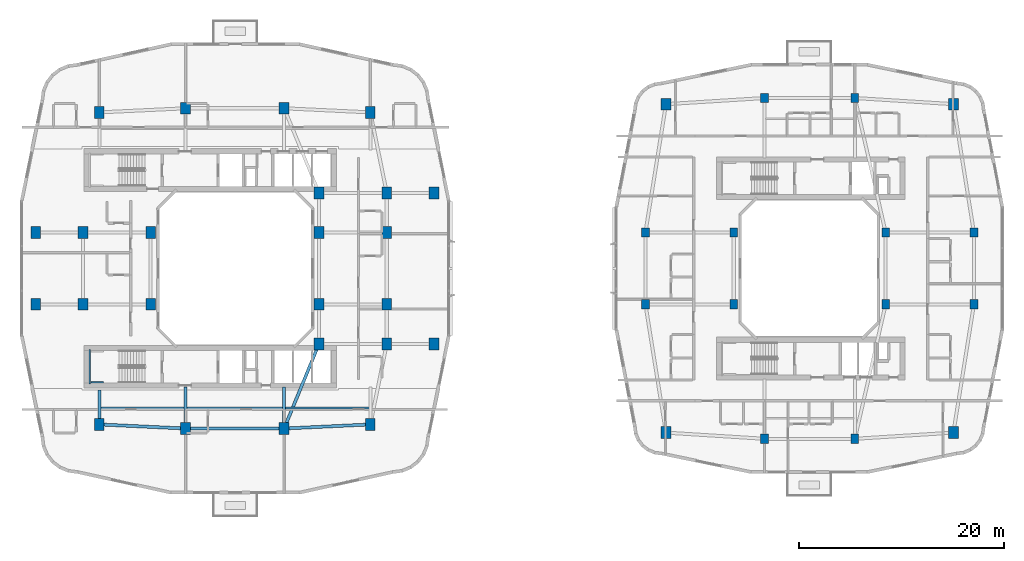
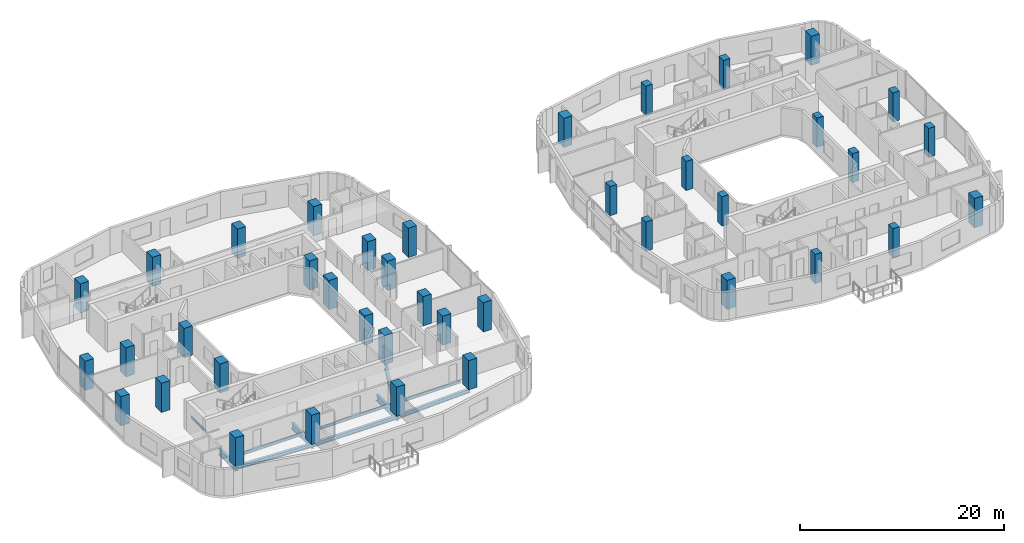
# One storey, part 1 of 22: 40 columns, 12 beams.
"""IFC4 building model written with IfcOpenShell, lengths in metres."""

import ifcopenshell
import ifcopenshell.guid

model = None  # the IFC model being written
_history = None  # IfcOwnerHistory: only IFC2X3 demands one
_inside = {}  # id of a spatial element -> (the spatial element, [elements in it])
_under = {}  # id of a project, library or spatial element -> (it, [spatial elements below it])
_declared = {}  # id of a project -> (the project, [libraries it declares])
_typed = {}  # id of a type object -> (the type object, [elements of that type])
_made_of = {}  # id of a material, layer set ... -> (it, [elements and type objects made of it])


def new_model(schema):
    """Start an empty IFC model of exactly this schema.

    Asked for "IFC4X3", IfcOpenShell would pick the latest addendum, in which some entities
    have other attributes; the version numbers below select the first issue.
    IFC2X3 requires an IfcOwnerHistory on every rooted entity: one is made here for all.
    """
    global model, _history
    if schema == "IFC4X3":
        model = ifcopenshell.file(schema_version=(4, 3, 0, 0))
    else:
        model = ifcopenshell.file(schema=schema)
    _inside.clear()
    _under.clear()
    _declared.clear()
    _typed.clear()
    _made_of.clear()
    _history = None
    if model.schema == "IFC2X3":
        org = make("IfcOrganization", Name="unknown")
        user = make(
            "IfcPersonAndOrganization",
            ThePerson=make("IfcPerson", FamilyName="unknown"),
            TheOrganization=org,
        )
        app = make(
            "IfcApplication",
            ApplicationDeveloper=org,
            Version="unknown",
            ApplicationFullName="unknown",
            ApplicationIdentifier="unknown",
        )
        _history = make(
            "IfcOwnerHistory",
            OwningUser=user,
            OwningApplication=app,
            ChangeAction="ADDED",
            CreationDate=0,
        )
    return model


def make(cls, **values):
    """One entity of the class cls with the attributes given. An attribute that is None is left unset."""
    return model.create_entity(
        cls, **{name: value for name, value in values.items() if value is not None}
    )


def rooted(cls, **values):
    """An entity with a GlobalId (a new one), such as an element, a storey or a relation."""
    return make(cls, GlobalId=ifcopenshell.guid.new(), OwnerHistory=_history, **values)


def si_unit(unit_type, name, prefix=None):
    """IfcSIUnit, for example si_unit("LENGTHUNIT", "METRE", prefix="MILLI")."""
    return make("IfcSIUnit", UnitType=unit_type, Prefix=prefix, Name=name)


def derived_unit(unit_type, elements):
    """IfcDerivedUnit: a product of units, each with its exponent."""
    return make(
        "IfcDerivedUnit",
        Elements=[
            make("IfcDerivedUnitElement", Unit=unit, Exponent=power)
            for unit, power in elements
        ],
        UnitType=unit_type,
    )


def assignment(units):
    """IfcUnitAssignment: the units of a project."""
    return None if units is None else make("IfcUnitAssignment", Units=units)


def point(xyz):
    """IfcCartesianPoint."""
    return None if xyz is None else make("IfcCartesianPoint", Coordinates=xyz)


def direction(xyz):
    """IfcDirection."""
    return None if xyz is None else make("IfcDirection", DirectionRatios=xyz)


def frame(location, z_axis=None, x_axis=None):
    """IfcAxis2Placement3D, a coordinate frame: its origin and axes. An axis left out is left unset."""
    return make(
        "IfcAxis2Placement3D",
        Location=point(location),
        Axis=direction(z_axis),
        RefDirection=direction(x_axis),
    )


def frame_2d(location, x_axis=None):
    """IfcAxis2Placement2D, a coordinate frame in the plane: its origin and x axis."""
    return make(
        "IfcAxis2Placement2D", Location=point(location), RefDirection=direction(x_axis)
    )


def origin():
    """The frame at (0, 0, 0) with its axes left unset."""
    return frame((0.0, 0.0, 0.0))


def origin_2d():
    """The frame at (0, 0) in the plane with its x axis left unset."""
    return frame_2d((0.0, 0.0))


def place(relative_to, where):
    """IfcLocalPlacement: puts the frame where relative to a parent placement (None: the world)."""
    return make(
        "IfcLocalPlacement", PlacementRelTo=relative_to, RelativePlacement=where
    )


def context(
    kind, dimensions, precision=None, world=None, true_north=None, identifier=None
):
    """IfcGeometricRepresentationContext, for example the 3D "Model" context."""
    return make(
        "IfcGeometricRepresentationContext",
        ContextIdentifier=identifier,
        ContextType=kind,
        CoordinateSpaceDimension=dimensions,
        Precision=precision,
        WorldCoordinateSystem=world,
        TrueNorth=true_north,
    )


def subcontext(parent, identifier, kind, view, scale=None):
    """IfcGeometricRepresentationSubContext, for example "Body" below "Model"."""
    return make(
        "IfcGeometricRepresentationSubContext",
        ContextIdentifier=identifier,
        ContextType=kind,
        ParentContext=parent,
        TargetScale=scale,
        TargetView=view,
    )


def project(units=None, contexts=None):
    """IfcProject with its units and contexts."""
    return rooted(
        "IfcProject",
        Name="project",
        RepresentationContexts=contexts,
        UnitsInContext=assignment(units),
    )


def spatial(cls, under=None, at=None, **own):
    """A site, building, storey or space (cls), placed at a placement, below another one or the project."""
    s = rooted(cls, ObjectPlacement=at, **own)
    if under is not None:
        _under.setdefault(under.id(), (under, []))[1].append(s)
    return s


def profile(cls, at=None, kind="AREA", **sizes):
    """A parametric profile (cls). Its sizes go by their IFC names, for example OverallWidth=200.0."""
    return make(cls, ProfileType=kind, Position=at, **sizes)


def rectangle(**sizes):
    """IfcRectangleProfileDef."""
    return profile("IfcRectangleProfileDef", **sizes)


def i_section(**sizes):
    """IfcIShapeProfileDef."""
    return profile("IfcIShapeProfileDef", **sizes)


def extrude(swept, where, along, depth):
    """IfcExtrudedAreaSolid: the profile swept, set in the frame where, extruded along a direction by depth."""
    return make(
        "IfcExtrudedAreaSolid",
        SweptArea=swept,
        Position=where,
        ExtrudedDirection=direction(along),
        Depth=depth,
    )


def shape(context_of_items, identifier, shape_type, items):
    """IfcShapeRepresentation: the items that make up one representation, for example the "Body"."""
    return make(
        "IfcShapeRepresentation",
        ContextOfItems=context_of_items,
        RepresentationIdentifier=identifier,
        RepresentationType=shape_type,
        Items=items,
    )


def material(Name=None, Category=None):
    """IfcMaterial."""
    return make("IfcMaterial", Name=Name, Category=Category)


def material_profile(
    of_material, cross_section, Name=None, Category=None, Priority=None
):
    """IfcMaterialProfile: a cross section and its material."""
    return make(
        "IfcMaterialProfile",
        Name=Name,
        Material=of_material,
        Profile=cross_section,
        Priority=Priority,
        Category=Category,
    )


def profile_set(profiles, Name=None, composite=None):
    """IfcMaterialProfileSet."""
    return make(
        "IfcMaterialProfileSet",
        Name=Name,
        MaterialProfiles=profiles,
        CompositeProfile=composite,
    )


def made_of(thing, what):
    """Note that an element or type object is made of a material, layer set ...; save() writes the relation."""
    if what is not None:
        _made_of.setdefault(what.id(), (what, []))[1].append(thing)
    return thing


def type_object(cls, material=None, **own):
    """A type object (cls), such as IfcWallType, which elements share."""
    return made_of(rooted(cls, **own), material)


def element(
    cls,
    number,
    at=None,
    inside=None,
    cuts=None,
    type_object=None,
    material=None,
    context=None,
    identifier="Body",
    shape_type=None,
    held_by="IfcProductDefinitionShape",
    body=None,
    shapes=None,
    **own,
):
    """One element of the class cls, such as IfcWall. Its Tag is "e" and its number.

    at: its placement. inside: the storey or other place that contains it. cuts: it is an
    opening in that element (IfcRelVoidsElement). A single representation is given by context,
    identifier, shape_type and body (its items); several are given by shapes. held_by: the class
    of the entity that holds the representations. save() writes the other relations.
    """
    e = rooted(cls, Tag="e%d" % number, ObjectPlacement=at, **own)
    if body is not None:
        shapes = [shape(context, identifier, shape_type, body)]
    if shapes is not None:
        e.Representation = make(held_by, Representations=shapes)
    if inside is not None:
        _inside.setdefault(inside.id(), (inside, []))[1].append(e)
    if cuts is not None:
        rooted(
            "IfcRelVoidsElement", RelatingBuildingElement=cuts, RelatedOpeningElement=e
        )
    if type_object is not None:
        _typed.setdefault(type_object.id(), (type_object, []))[1].append(e)
    return made_of(e, material)


def aggregate(whole, parts):
    """IfcRelAggregates: a whole, such as a stair, and the parts it consists of."""
    return rooted("IfcRelAggregates", RelatingObject=whole, RelatedObjects=parts)


def save(model, path):
    """Write the relations noted so far, then the file.

    IfcRelAggregates (storeys below a building ...), IfcRelContainedInSpatialStructure (elements
    in a storey), IfcRelDefinesByType, IfcRelAssociatesMaterial and IfcRelDeclares: one each for
    every whole, place, type object, material and project.
    """
    for whole, parts in _under.values():
        aggregate(whole, parts)
    for where, things in _inside.values():
        rooted(
            "IfcRelContainedInSpatialStructure",
            RelatedElements=things,
            RelatingStructure=where,
        )
    for kind, things in _typed.values():
        rooted("IfcRelDefinesByType", RelatedObjects=things, RelatingType=kind)
    for what, things in _made_of.values():
        rooted("IfcRelAssociatesMaterial", RelatedObjects=things, RelatingMaterial=what)
    for by, libraries in _declared.values():
        rooted("IfcRelDeclares", RelatingContext=by, RelatedDefinitions=libraries)
    model.write(path)


model = new_model("IFC4")

# Units and contexts
model_context = context("Model", 3, precision=1e-05, world=origin(), true_north=direction((0.0, 1.0)))
body_context = subcontext(model_context, "Body", "Model", "MODEL_VIEW")
ifc_project = project(units=[si_unit("LENGTHUNIT", "METRE"), si_unit("AREAUNIT", "SQUARE_METRE"), si_unit("VOLUMEUNIT", "CUBIC_METRE"), si_unit("PLANEANGLEUNIT", "RADIAN"), si_unit("MASSUNIT", "GRAM", prefix="KILO"), derived_unit("THERMALTRANSMITTANCEUNIT", [(si_unit("POWERUNIT", "WATT"), 1), (si_unit("LENGTHUNIT", "METRE"), -2), (si_unit("THERMODYNAMICTEMPERATUREUNIT", "KELVIN"), -1)])], contexts=[model_context])

# Site, building, storey
site_placement = place(None, origin())
site = spatial("IfcSite", under=ifc_project, at=site_placement, CompositionType="ELEMENT")
building_placement = place(site_placement, origin())
building = spatial("IfcBuilding", under=site, at=building_placement, Name="Kivonza Crest Hotel", CompositionType="ELEMENT")
storey_placement = place(building_placement, frame((0.0, 0.0, 69.5)))
storey = spatial("IfcBuildingStorey", under=building, at=storey_placement, Name="L18", CompositionType="ELEMENT", Elevation=69.5)

# Columns
ifc_material_1 = material(Name="Concrete C60/75", Category="concrete")
ifc_material_profile_1 = material_profile(ifc_material_1, rectangle(XDim=0.949951171875, YDim=1.14990234375, at=origin_2d()), Name="RC 1150x950")
ifc_profile_set_1 = profile_set([ifc_material_profile_1], Name="Concrete C60/75")
column_type_1 = type_object("IfcColumnType", Name="CL-RC-1150x950", PredefinedType="COLUMN", material=ifc_profile_set_1)
for number, where, z_axis, x_axis, name in (
    (1, (16.199951171875, 9.39990234375, 0.0), (0.0, 0.0, 1.0), (1.0, 0.0, 0.0), "Tower T1 L18 column S1"),
    (2, (25.800048828125, 9.39990234375, 0.0), (0.0, 0.0, 1.0), (1.0, 0.0, 0.0), "Tower T1 L18 column S2"),
    (3, (16.199951171875, 40.60009765625, 0.0), (0.0, 0.0, 1.0), (1.0, 0.0, 0.0), "Tower T1 L18 column N1"),
    (4, (25.800048828125, 40.60009765625, 0.0), (0.0, 0.0, 1.0), (1.0, 0.0, 0.0), "Tower T1 L18 column N2"),
    (5, (6.199951171875, 21.5, 0.0), (0.0, 0.0, 1.0), (1.0, 0.0, 0.0), "Tower T1 L18 column W1"),
    (6, (6.199951171875, 28.5, 0.0), (0.0, 0.0, 1.0), (1.0, 0.0, 0.0), "Tower T1 L18 column W2"),
    (7, (7.800048828125, 9.800048828125, 0.0), (0.0, 0.0, 1.0), (1.0, 0.0, 0.0), "Tower T1 L18 column SW"),
    (8, (34.199951171875, 9.800048828125, 0.0), (0.0, 0.0, 1.0), (1.0, 0.0, 0.0), "Tower T1 L18 column SE"),
    (9, (34.199951171875, 40.199951171875, 0.0), (0.0, 0.0, 1.0), (1.0, 0.0, 0.0), "Tower T1 L18 column NE"),
    (10, (7.800048828125, 40.199951171875, 0.0), (0.0, 0.0, 1.0), (1.0, 0.0, 0.0), "Tower T1 L18 column NW"),
    (11, (35.800048828125, 21.5, 0.0), (0.0, 0.0, 1.0), (1.0, 0.0, 0.0), "Tower T1 L18 column E1"),
    (12, (35.800048828125, 28.5, 0.0), (0.0, 0.0, 1.0), (1.0, 0.0, 0.0), "Tower T1 L18 column E2"),
    (13, (35.800048828125, 17.64990234375, 0.0), (0.0, 0.0, 1.0), (1.0, 0.0, 0.0), "Tower T1 L18 column PSE"),
    (14, (35.800048828125, 32.35009765625, 0.0), (0.0, 0.0, 1.0), (1.0, 0.0, 0.0), "Tower T1 L18 column PNE"),
    (15, (12.800048828125, 21.5, 0.0), (0.0, 0.0, 1.0), (1.0, 0.0, 0.0), "Tower T1 L18 column WL1"),
    (16, (12.800048828125, 28.5, 0.0), (0.0, 0.0, 1.0), (1.0, 0.0, 0.0), "Tower T1 L18 column WL2"),
    (17, (29.199951171875, 17.64990234375, 0.0), (0.0, 0.0, 1.0), (1.0, 0.0, 0.0), "Tower T1 L18 column TSE"),
    (18, (29.199951171875, 32.35009765625, 0.0), (0.0, 0.0, 1.0), (1.0, 0.0, 0.0), "Tower T1 L18 column TNE"),
    (19, (29.199951171875, 21.5, 0.0), (0.0, 0.0, 1.0), (1.0, 0.0, 0.0), "Tower T1 L18 column WR1"),
    (20, (29.199951171875, 28.5, 0.0), (0.0, 0.0, 1.0), (1.0, 0.0, 0.0), "Tower T1 L18 column WR2"),
    (21, (1.60009765625, 21.5, 0.0), (0.0, 0.0, 1.0), (1.0, 0.0, 0.0), "Tower T1 L18 column Z1W1"),
    (22, (1.60009765625, 28.5, 0.0), (0.0, 0.0, 1.0), (1.0, 0.0, 0.0), "Tower T1 L18 column Z1W2"),
    (23, (40.39990234375, 17.64990234375, 0.0), (0.0, 0.0, 1.0), (1.0, 0.0, 0.0), "Tower T1 L18 column Z1E1"),
    (24, (40.39990234375, 32.35009765625, 0.0), (0.0, 0.0, 1.0), (1.0, 0.0, 0.0), "Tower T1 L18 column Z1E2"),
    (25, (63.0, 9.0, 0.0), (0.0, 0.0, 1.0), (1.0, 0.0, 0.0), "Companion Tower T2 L18 column SW"),
    (26, (91.0, 9.0, 0.0), (0.0, 0.0, 1.0), (1.0, 0.0, 0.0), "Companion Tower T2 L18 column SE"),
    (27, (91.0, 41.0, 0.0), (0.0, 0.0, 1.0), (1.0, 0.0, 0.0), "Companion Tower T2 L18 column NE"),
    (28, (63.0, 41.0, 0.0), (0.0, 0.0, 1.0), (1.0, 0.0, 0.0), "Companion Tower T2 L18 column NW"),
):
    element("IfcColumn", number, at=place(storey_placement, frame(where, z_axis=z_axis, x_axis=x_axis)), inside=storey, type_object=column_type_1, Name=name, PredefinedType="COLUMN", context=body_context, shape_type="SweptSolid", body=[
        extrude(rectangle(XDim=0.949951171875, YDim=1.14990234375, at=origin_2d()), origin(), (0.0, 0.0, 1.0), 3.5),
    ])
ifc_material_2 = material(Name="Concrete C50/60", Category="concrete")
ifc_material_profile_2 = material_profile(ifc_material_2, rectangle(XDim=0.75, YDim=0.89990234375, at=origin_2d()), Name="RC 900x750")
ifc_profile_set_2 = profile_set([ifc_material_profile_2], Name="Concrete C50/60")
column_type_2 = type_object("IfcColumnType", Name="CL-RC-900x750", PredefinedType="COLUMN", material=ifc_profile_set_2)
for number, where, z_axis, x_axis, name in (
    (29, (72.60009765625, 8.39990234375, 0.0), (0.0, 0.0, 1.0), (1.0, 0.0, 0.0), "Companion Tower T2 L18 column S1"),
    (30, (81.39990234375, 8.39990234375, 0.0), (0.0, 0.0, 1.0), (1.0, 0.0, 0.0), "Companion Tower T2 L18 column S2"),
    (31, (72.60009765625, 41.60009765625, 0.0), (0.0, 0.0, 1.0), (1.0, 0.0, 0.0), "Companion Tower T2 L18 column N1"),
    (32, (81.39990234375, 41.60009765625, 0.0), (0.0, 0.0, 1.0), (1.0, 0.0, 0.0), "Companion Tower T2 L18 column N2"),
    (33, (61.0, 21.5, 0.0), (0.0, 0.0, 1.0), (1.0, 0.0, 0.0), "Companion Tower T2 L18 column W1"),
    (34, (61.0, 28.5, 0.0), (0.0, 0.0, 1.0), (1.0, 0.0, 0.0), "Companion Tower T2 L18 column W2"),
    (35, (93.0, 21.5, 0.0), (0.0, 0.0, 1.0), (1.0, 0.0, 0.0), "Companion Tower T2 L18 column E1"),
    (36, (93.0, 28.5, 0.0), (0.0, 0.0, 1.0), (1.0, 0.0, 0.0), "Companion Tower T2 L18 column E2"),
    (37, (69.60009765625, 21.5, 0.0), (0.0, 0.0, 1.0), (1.0, 0.0, 0.0), "Companion Tower T2 L18 column WL1"),
    (38, (69.60009765625, 28.5, 0.0), (0.0, 0.0, 1.0), (1.0, 0.0, 0.0), "Companion Tower T2 L18 column WL2"),
    (39, (84.39990234375, 21.5, 0.0), (0.0, 0.0, 1.0), (1.0, 0.0, 0.0), "Companion Tower T2 L18 column WR1"),
    (40, (84.39990234375, 28.5, 0.0), (0.0, 0.0, 1.0), (1.0, 0.0, 0.0), "Companion Tower T2 L18 column WR2"),
):
    element("IfcColumn", number, at=place(storey_placement, frame(where, z_axis=z_axis, x_axis=x_axis)), inside=storey, type_object=column_type_2, Name=name, PredefinedType="COLUMN", context=body_context, shape_type="SweptSolid", body=[
        extrude(rectangle(XDim=0.75, YDim=0.89990234375, at=origin_2d()), origin(), (0.0, 0.0, 1.0), 3.5),
    ])

# Beams
ifc_material_3 = material(Name="Steel S355", Category="steel")
ifc_material_profile_3 = material_profile(ifc_material_3, i_section(OverallWidth=0.300048828125, OverallDepth=0.449951171875, WebThickness=0.013916015625, FlangeThickness=0.02587890625, FilletRadius=0.027099609375, at=origin_2d()), Name="HEB 450")
ifc_profile_set_3 = profile_set([ifc_material_profile_3], Name="Steel S355")
beam_type_1 = type_object("IfcBeamType", Name="BM-HEB450", PredefinedType="SPANDREL", material=ifc_profile_set_3)
beam_1_placement = place(storey_placement, frame((16.199951171875, 9.39990234375, -0.5048828125), z_axis=(1.0, 0.0, 0.0), x_axis=(0.0, 1.0, 0.0)))
element("IfcBeam", 41, at=beam_1_placement, inside=storey, type_object=beam_type_1, Name="Tower T1 L18 perimeter spandrel S1-S2", PredefinedType="SPANDREL", context=body_context, shape_type="SweptSolid", body=[
    extrude(i_section(OverallWidth=0.300048828125, OverallDepth=0.449951171875, WebThickness=0.013916015625, FlangeThickness=0.02587890625, FilletRadius=0.027099609375, at=origin_2d()), origin(), (0.0, 0.0, 1.0), 9.60009765625),
])
for number, where, z_axis, x_axis, name in (
    (42, (25.800048828125, 9.39990234375, -0.5048828125), (0.998867283688, 0.047583080799, 0.0), (-0.047583080799, 0.998867283688, 0.0), "Tower T1 L18 perimeter spandrel S2-SE"),
    (43, (7.800048828125, 9.800048828125, -0.5048828125), (0.998867283688, -0.047583080799, 0.0), (0.047583080799, 0.998867283688, 0.0), "Tower T1 L18 perimeter spandrel SW-S1"),
):
    element("IfcBeam", number, at=place(storey_placement, frame(where, z_axis=z_axis, x_axis=x_axis)), inside=storey, type_object=beam_type_1, Name=name, PredefinedType="SPANDREL", context=body_context, shape_type="SweptSolid", body=[
        extrude(i_section(OverallWidth=0.300048828125, OverallDepth=0.449951171875, WebThickness=0.013916015625, FlangeThickness=0.02587890625, FilletRadius=0.027099609375, at=origin_2d()), origin(), (0.0, 0.0, 1.0), 8.409423828125),
    ])
ifc_material_profile_4 = material_profile(ifc_material_3, i_section(OverallWidth=0.300048828125, OverallDepth=0.699951171875, WebThickness=0.01708984375, FlangeThickness=0.031982421875, FilletRadius=0.027099609375, at=origin_2d()), Name="HEB 700")
ifc_profile_set_4 = profile_set([ifc_material_profile_4], Name="Steel S355")
beam_type_2 = type_object("IfcBeamType", Name="BM-HEB700", PredefinedType="BEAM", material=ifc_profile_set_4)
beam_2_placement = place(storey_placement, frame((25.800048828125, 9.39990234375, -0.6298828125), z_axis=(0.381022260404, 0.924565864109, 0.0), x_axis=(-0.924565864109, 0.381022260404, 0.0)))
element("IfcBeam", 44, at=beam_2_placement, inside=storey, type_object=beam_type_2, Name="Tower T1 L18 primary girder S1-TSE", PredefinedType="BEAM", context=body_context, shape_type="SweptSolid", body=[
    extrude(i_section(OverallWidth=0.300048828125, OverallDepth=0.699951171875, WebThickness=0.01708984375, FlangeThickness=0.031982421875, FilletRadius=0.027099609375, at=origin_2d()), origin(), (0.0, 0.0, 1.0), 8.923095703125),
])
beam_3_placement = place(storey_placement, frame((7.800048828125, 9.800048828125, -0.6298828125), z_axis=(0.0, 1.0, 0.0), x_axis=(-1.0, 0.0, 0.0)))
element("IfcBeam", 45, at=beam_3_placement, inside=storey, type_object=beam_type_2, Name="Tower T1 L18 radial core girder RSW", PredefinedType="BEAM", context=body_context, shape_type="SweptSolid", body=[
    extrude(i_section(OverallWidth=0.300048828125, OverallDepth=0.699951171875, WebThickness=0.01708984375, FlangeThickness=0.031982421875, FilletRadius=0.027099609375, at=origin_2d()), origin(), (0.0, 0.0, 1.0), 3.349853515625),
])
for number, where, z_axis, x_axis, name in (
    (46, (16.199951171875, 9.39990234375, -0.6298828125), (0.0, 1.0, 0.0), (-1.0, 0.0, 0.0), "Tower T1 L18 radial core girder RS1"),
    (47, (25.800048828125, 9.39990234375, -0.6298828125), (0.0, 1.0, 0.0), (-1.0, 0.0, 0.0), "Tower T1 L18 radial core girder RS2"),
):
    element("IfcBeam", number, at=place(storey_placement, frame(where, z_axis=z_axis, x_axis=x_axis)), inside=storey, type_object=beam_type_2, Name=name, PredefinedType="BEAM", context=body_context, shape_type="SweptSolid", body=[
        extrude(i_section(OverallWidth=0.300048828125, OverallDepth=0.699951171875, WebThickness=0.01708984375, FlangeThickness=0.031982421875, FilletRadius=0.027099609375, at=origin_2d()), origin(), (0.0, 0.0, 1.0), 4.050048828125),
    ])
ifc_material_profile_5 = material_profile(ifc_material_3, i_section(OverallWidth=0.14990234375, OverallDepth=0.300048828125, WebThickness=0.007080078125, FlangeThickness=0.0107421875, FilletRadius=0.014892578125, at=origin_2d()), Name="IPE 300")
ifc_profile_set_5 = profile_set([ifc_material_profile_5], Name="Steel S355")
beam_type_3 = type_object("IfcBeamType", Name="BM-IPE300", PredefinedType="JOIST", material=ifc_profile_set_5)
beam_4_placement = place(storey_placement, frame((7.8798828125, 11.39990234375, -0.429931640625), z_axis=(1.0, 0.0, 0.0), x_axis=(0.0, 1.0, 0.0)))
element("IfcBeam", 48, at=beam_4_placement, inside=storey, type_object=beam_type_3, Name="Tower T1 L18 South-West floor joist", PredefinedType="JOIST", context=body_context, shape_type="SweptSolid", body=[
    extrude(i_section(OverallWidth=0.14990234375, OverallDepth=0.300048828125, WebThickness=0.007080078125, FlangeThickness=0.0107421875, FilletRadius=0.014892578125, at=origin_2d()), origin(), (0.0, 0.0, 1.0), 8.240234375),
])
beam_5_placement = place(storey_placement, frame((16.280029296875, 11.39990234375, -0.429931640625), z_axis=(1.0, 0.0, 0.0), x_axis=(0.0, 1.0, 0.0)))
element("IfcBeam", 49, at=beam_5_placement, inside=storey, type_object=beam_type_3, Name="Tower T1 L18 South-Mid floor joist", PredefinedType="JOIST", context=body_context, shape_type="SweptSolid", body=[
    extrude(i_section(OverallWidth=0.14990234375, OverallDepth=0.300048828125, WebThickness=0.007080078125, FlangeThickness=0.0107421875, FilletRadius=0.014892578125, at=origin_2d()), origin(), (0.0, 0.0, 1.0), 9.43994140625),
])
beam_6_placement = place(storey_placement, frame((25.8798828125, 11.39990234375, -0.429931640625), z_axis=(1.0, 0.0, 0.0), x_axis=(0.0, 1.0, 0.0)))
element("IfcBeam", 50, at=beam_6_placement, inside=storey, type_object=beam_type_3, Name="Tower T1 L18 South-East floor joist", PredefinedType="JOIST", context=body_context, shape_type="SweptSolid", body=[
    extrude(i_section(OverallWidth=0.14990234375, OverallDepth=0.300048828125, WebThickness=0.007080078125, FlangeThickness=0.0107421875, FilletRadius=0.014892578125, at=origin_2d()), origin(), (0.0, 0.0, 1.0), 8.240234375),
])
ifc_material_profile_6 = material_profile(ifc_material_3, i_section(OverallWidth=0.1201171875, OverallDepth=0.239990234375, WebThickness=0.006103515625, FlangeThickness=0.009765625, FilletRadius=0.014892578125, at=origin_2d()), Name="IPE 240")
ifc_profile_set_6 = profile_set([ifc_material_profile_6], Name="Steel S355")
beam_type_4 = type_object("IfcBeamType", Name="BM-LLDG-240", PredefinedType="BEAM", material=ifc_profile_set_6)
beam_7_placement = place(storey_placement, frame((6.860107421875, 13.739990234375, 1.429931640625), z_axis=(0.0, 1.0, 0.0), x_axis=(-1.0, 0.0, 0.0)))
element("IfcBeam", 51, at=beam_7_placement, inside=storey, type_object=beam_type_4, Name="Stair ST-T1-S L18 West landing corbel", PredefinedType="BEAM", context=body_context, shape_type="SweptSolid", body=[
    extrude(i_section(OverallWidth=0.1201171875, OverallDepth=0.239990234375, WebThickness=0.006103515625, FlangeThickness=0.009765625, FilletRadius=0.014892578125, at=origin_2d()), origin(), (0.0, 0.0, 1.0), 3.360107421875),
])
beam_8_placement = place(storey_placement, frame((6.989990234375, 13.89990234375, 1.429931640625), z_axis=(1.0, 0.0, 0.0), x_axis=(0.0, 1.0, 0.0)))
element("IfcBeam", 52, at=beam_8_placement, inside=storey, type_object=beam_type_4, Name="Stair ST-T1-S L18 South landing corbel", PredefinedType="BEAM", context=body_context, shape_type="SweptSolid", body=[
    extrude(i_section(OverallWidth=0.1201171875, OverallDepth=0.239990234375, WebThickness=0.006103515625, FlangeThickness=0.009765625, FilletRadius=0.014892578125, at=origin_2d()), origin(), (0.0, 0.0, 1.0), 1.2099609375),
])

save(model, "model.ifc")
